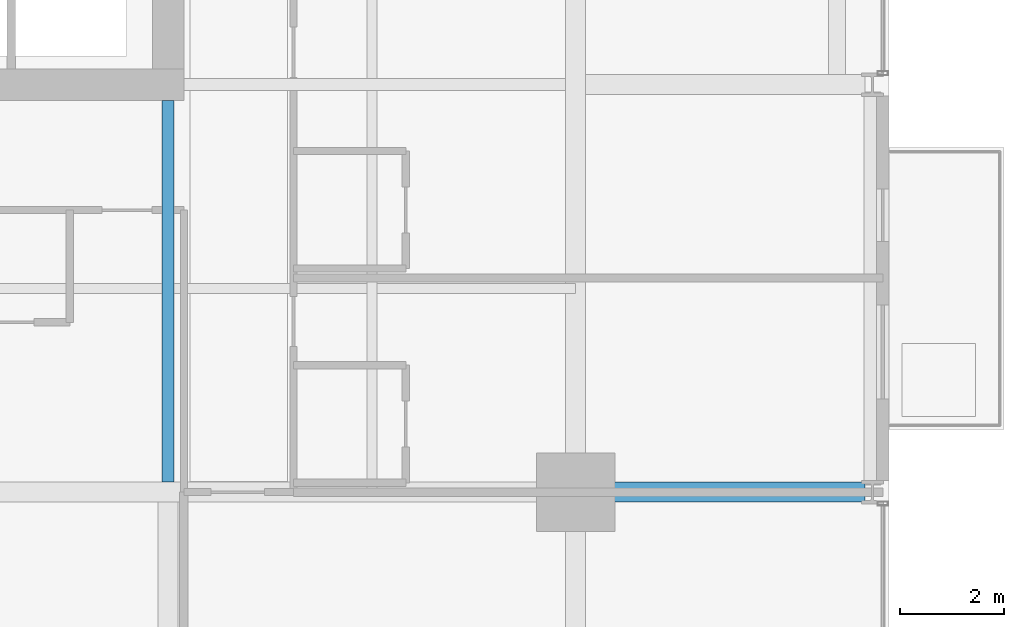
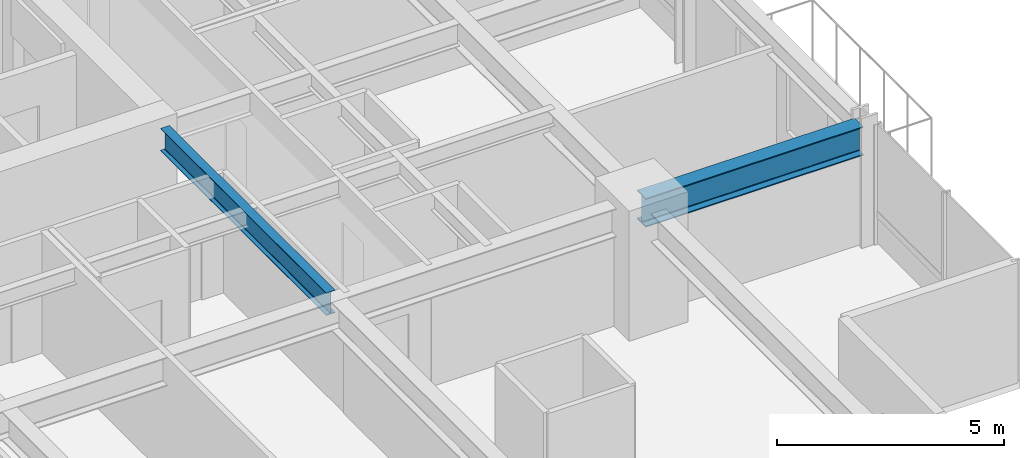
# One storey, part 12 of 35: 2 beams.
"""IFC4 building model written with IfcOpenShell, lengths in metres."""

import ifcopenshell
import ifcopenshell.guid

model = None  # the IFC model being written
_history = None  # IfcOwnerHistory: only IFC2X3 demands one
_inside = {}  # id of a spatial element -> (the spatial element, [elements in it])
_under = {}  # id of a project, library or spatial element -> (it, [spatial elements below it])
_declared = {}  # id of a project -> (the project, [libraries it declares])
_typed = {}  # id of a type object -> (the type object, [elements of that type])
_made_of = {}  # id of a material, layer set ... -> (it, [elements and type objects made of it])


def new_model(schema):
    """Start an empty IFC model of exactly this schema.

    Asked for "IFC4X3", IfcOpenShell would pick the latest addendum, in which some entities
    have other attributes; the version numbers below select the first issue.
    IFC2X3 requires an IfcOwnerHistory on every rooted entity: one is made here for all.
    """
    global model, _history
    if schema == "IFC4X3":
        model = ifcopenshell.file(schema_version=(4, 3, 0, 0))
    else:
        model = ifcopenshell.file(schema=schema)
    _inside.clear()
    _under.clear()
    _declared.clear()
    _typed.clear()
    _made_of.clear()
    _history = None
    if model.schema == "IFC2X3":
        org = make("IfcOrganization", Name="unknown")
        user = make(
            "IfcPersonAndOrganization",
            ThePerson=make("IfcPerson", FamilyName="unknown"),
            TheOrganization=org,
        )
        app = make(
            "IfcApplication",
            ApplicationDeveloper=org,
            Version="unknown",
            ApplicationFullName="unknown",
            ApplicationIdentifier="unknown",
        )
        _history = make(
            "IfcOwnerHistory",
            OwningUser=user,
            OwningApplication=app,
            ChangeAction="ADDED",
            CreationDate=0,
        )
    return model


def make(cls, **values):
    """One entity of the class cls with the attributes given. An attribute that is None is left unset."""
    return model.create_entity(
        cls, **{name: value for name, value in values.items() if value is not None}
    )


def rooted(cls, **values):
    """An entity with a GlobalId (a new one), such as an element, a storey or a relation."""
    return make(cls, GlobalId=ifcopenshell.guid.new(), OwnerHistory=_history, **values)


def si_unit(unit_type, name, prefix=None):
    """IfcSIUnit, for example si_unit("LENGTHUNIT", "METRE", prefix="MILLI")."""
    return make("IfcSIUnit", UnitType=unit_type, Prefix=prefix, Name=name)


def assignment(units):
    """IfcUnitAssignment: the units of a project."""
    return None if units is None else make("IfcUnitAssignment", Units=units)


def point(xyz):
    """IfcCartesianPoint."""
    return None if xyz is None else make("IfcCartesianPoint", Coordinates=xyz)


def direction(xyz):
    """IfcDirection."""
    return None if xyz is None else make("IfcDirection", DirectionRatios=xyz)


def frame(location, z_axis=None, x_axis=None):
    """IfcAxis2Placement3D, a coordinate frame: its origin and axes. An axis left out is left unset."""
    return make(
        "IfcAxis2Placement3D",
        Location=point(location),
        Axis=direction(z_axis),
        RefDirection=direction(x_axis),
    )


def frame_2d(location, x_axis=None):
    """IfcAxis2Placement2D, a coordinate frame in the plane: its origin and x axis."""
    return make(
        "IfcAxis2Placement2D", Location=point(location), RefDirection=direction(x_axis)
    )


def origin():
    """The frame at (0, 0, 0) with its axes left unset."""
    return frame((0.0, 0.0, 0.0))


def origin_2d():
    """The frame at (0, 0) in the plane with its x axis left unset."""
    return frame_2d((0.0, 0.0))


def place(relative_to, where):
    """IfcLocalPlacement: puts the frame where relative to a parent placement (None: the world)."""
    return make(
        "IfcLocalPlacement", PlacementRelTo=relative_to, RelativePlacement=where
    )


def context(
    kind, dimensions, precision=None, world=None, true_north=None, identifier=None
):
    """IfcGeometricRepresentationContext, for example the 3D "Model" context."""
    return make(
        "IfcGeometricRepresentationContext",
        ContextIdentifier=identifier,
        ContextType=kind,
        CoordinateSpaceDimension=dimensions,
        Precision=precision,
        WorldCoordinateSystem=world,
        TrueNorth=true_north,
    )


def subcontext(parent, identifier, kind, view, scale=None):
    """IfcGeometricRepresentationSubContext, for example "Body" below "Model"."""
    return make(
        "IfcGeometricRepresentationSubContext",
        ContextIdentifier=identifier,
        ContextType=kind,
        ParentContext=parent,
        TargetScale=scale,
        TargetView=view,
    )


def project(units=None, contexts=None):
    """IfcProject with its units and contexts."""
    return rooted(
        "IfcProject",
        Name="project",
        RepresentationContexts=contexts,
        UnitsInContext=assignment(units),
    )


def spatial(cls, under=None, at=None, **own):
    """A site, building, storey or space (cls), placed at a placement, below another one or the project."""
    s = rooted(cls, ObjectPlacement=at, **own)
    if under is not None:
        _under.setdefault(under.id(), (under, []))[1].append(s)
    return s


def profile(cls, at=None, kind="AREA", **sizes):
    """A parametric profile (cls). Its sizes go by their IFC names, for example OverallWidth=200.0."""
    return make(cls, ProfileType=kind, Position=at, **sizes)


def i_section(**sizes):
    """IfcIShapeProfileDef."""
    return profile("IfcIShapeProfileDef", **sizes)


def extrude(swept, where, along, depth):
    """IfcExtrudedAreaSolid: the profile swept, set in the frame where, extruded along a direction by depth."""
    return make(
        "IfcExtrudedAreaSolid",
        SweptArea=swept,
        Position=where,
        ExtrudedDirection=direction(along),
        Depth=depth,
    )


def shape(context_of_items, identifier, shape_type, items):
    """IfcShapeRepresentation: the items that make up one representation, for example the "Body"."""
    return make(
        "IfcShapeRepresentation",
        ContextOfItems=context_of_items,
        RepresentationIdentifier=identifier,
        RepresentationType=shape_type,
        Items=items,
    )


def material(Name=None, Category=None):
    """IfcMaterial."""
    return make("IfcMaterial", Name=Name, Category=Category)


def material_profile(
    of_material, cross_section, Name=None, Category=None, Priority=None
):
    """IfcMaterialProfile: a cross section and its material."""
    return make(
        "IfcMaterialProfile",
        Name=Name,
        Material=of_material,
        Profile=cross_section,
        Priority=Priority,
        Category=Category,
    )


def profile_set(profiles, Name=None, composite=None):
    """IfcMaterialProfileSet."""
    return make(
        "IfcMaterialProfileSet",
        Name=Name,
        MaterialProfiles=profiles,
        CompositeProfile=composite,
    )


def made_of(thing, what):
    """Note that an element or type object is made of a material, layer set ...; save() writes the relation."""
    if what is not None:
        _made_of.setdefault(what.id(), (what, []))[1].append(thing)
    return thing


def type_object(cls, material=None, **own):
    """A type object (cls), such as IfcWallType, which elements share."""
    return made_of(rooted(cls, **own), material)


def element(
    cls,
    number,
    at=None,
    inside=None,
    cuts=None,
    type_object=None,
    material=None,
    context=None,
    identifier="Body",
    shape_type=None,
    held_by="IfcProductDefinitionShape",
    body=None,
    shapes=None,
    **own,
):
    """One element of the class cls, such as IfcWall. Its Tag is "e" and its number.

    at: its placement. inside: the storey or other place that contains it. cuts: it is an
    opening in that element (IfcRelVoidsElement). A single representation is given by context,
    identifier, shape_type and body (its items); several are given by shapes. held_by: the class
    of the entity that holds the representations. save() writes the other relations.
    """
    e = rooted(cls, Tag="e%d" % number, ObjectPlacement=at, **own)
    if body is not None:
        shapes = [shape(context, identifier, shape_type, body)]
    if shapes is not None:
        e.Representation = make(held_by, Representations=shapes)
    if inside is not None:
        _inside.setdefault(inside.id(), (inside, []))[1].append(e)
    if cuts is not None:
        rooted(
            "IfcRelVoidsElement", RelatingBuildingElement=cuts, RelatedOpeningElement=e
        )
    if type_object is not None:
        _typed.setdefault(type_object.id(), (type_object, []))[1].append(e)
    return made_of(e, material)


def aggregate(whole, parts):
    """IfcRelAggregates: a whole, such as a stair, and the parts it consists of."""
    return rooted("IfcRelAggregates", RelatingObject=whole, RelatedObjects=parts)


def save(model, path):
    """Write the relations noted so far, then the file.

    IfcRelAggregates (storeys below a building ...), IfcRelContainedInSpatialStructure (elements
    in a storey), IfcRelDefinesByType, IfcRelAssociatesMaterial and IfcRelDeclares: one each for
    every whole, place, type object, material and project.
    """
    for whole, parts in _under.values():
        aggregate(whole, parts)
    for where, things in _inside.values():
        rooted(
            "IfcRelContainedInSpatialStructure",
            RelatedElements=things,
            RelatingStructure=where,
        )
    for kind, things in _typed.values():
        rooted("IfcRelDefinesByType", RelatedObjects=things, RelatingType=kind)
    for what, things in _made_of.values():
        rooted("IfcRelAssociatesMaterial", RelatedObjects=things, RelatingMaterial=what)
    for by, libraries in _declared.values():
        rooted("IfcRelDeclares", RelatingContext=by, RelatedDefinitions=libraries)
    model.write(path)


model = new_model("IFC4")

# Units and contexts
model_context = context("Model", 3, precision=1e-05, world=origin(), true_north=direction((0.0, 1.0)))
body_context = subcontext(model_context, "Body", "Model", "MODEL_VIEW")
ifc_project = project(units=[si_unit("LENGTHUNIT", "METRE"), si_unit("AREAUNIT", "SQUARE_METRE"), si_unit("VOLUMEUNIT", "CUBIC_METRE"), si_unit("PLANEANGLEUNIT", "RADIAN"), si_unit("MASSUNIT", "GRAM", prefix="KILO")], contexts=[model_context])

# Site, building, storey
site_placement = place(None, origin())
site = spatial("IfcSite", under=ifc_project, at=site_placement, CompositionType="ELEMENT")
building_placement = place(site_placement, origin())
building = spatial("IfcBuilding", under=site, at=building_placement, Name="Drelvath Grand Hotel", CompositionType="ELEMENT")
storey_placement = place(building_placement, frame((0.0, 0.0, 98.800048828125)))
storey = spatial("IfcBuildingStorey", under=building, at=storey_placement, Name="L24", CompositionType="ELEMENT", Elevation=98.800048828125)

# Beams
ifc_material = material(Name="Steel ASTM A992 Gr 50", Category="steel")
ifc_material_profile_1 = material_profile(ifc_material, i_section(OverallWidth=0.228271484375, OverallDepth=0.607666015625, WebThickness=0.01123046875, FlangeThickness=0.017333984375, FilletRadius=0.02001953125, at=origin_2d()), Name="W24X76")
ifc_profile_set_1 = profile_set([ifc_material_profile_1], Name="Steel ASTM A992 Gr 50")
beam_type_1 = type_object("IfcBeamType", Name="Primary Floor Girder W24X76", PredefinedType="BEAM", material=ifc_profile_set_1)
beam_1_placement = place(storey_placement, frame((8.39990234375, 10.990234375, 2.93603515625), z_axis=(0.0, 1.0, 0.0), x_axis=(-1.0, 0.0, 0.0)))
element("IfcBeam", 1, at=beam_1_placement, inside=storey, type_object=beam_type_1, Name="L24 South Core Tie 6", PredefinedType="BEAM", context=body_context, shape_type="SweptSolid", body=[
    extrude(i_section(OverallWidth=0.228271484375, OverallDepth=0.607666015625, WebThickness=0.01123046875, FlangeThickness=0.017333984375, FilletRadius=0.02001953125, at=origin_2d()), origin(), (0.0, 0.0, 1.0), 7.309814453125),
])
ifc_material_profile_2 = material_profile(ifc_material, i_section(OverallWidth=0.380615234375, OverallDepth=0.773193359375, WebThickness=0.0166015625, FlangeThickness=0.027099609375, FilletRadius=0.02490234375, at=origin_2d()), Name="W30X173")
ifc_profile_set_2 = profile_set([ifc_material_profile_2], Name="Steel ASTM A992 Gr 50")
beam_type_2 = type_object("IfcBeamType", Name="Primary Floor Girder W30X173", PredefinedType="BEAM", material=ifc_profile_set_2)
beam_2_placement = place(storey_placement, frame((16.199951171875, 10.800048828125, 2.853271484375), z_axis=(1.0, 0.0, 0.0), x_axis=(0.0, 1.0, 0.0)))
element("IfcBeam", 2, at=beam_2_placement, inside=storey, type_object=beam_type_2, Name="L24 East Grid Girder C", PredefinedType="BEAM", context=body_context, shape_type="SweptSolid", body=[
    extrude(i_section(OverallWidth=0.380615234375, OverallDepth=0.773193359375, WebThickness=0.0166015625, FlangeThickness=0.027099609375, FilletRadius=0.02490234375, at=origin_2d()), origin(), (0.0, 0.0, 1.0), 5.5400390625),
])

save(model, "model.ifc")
